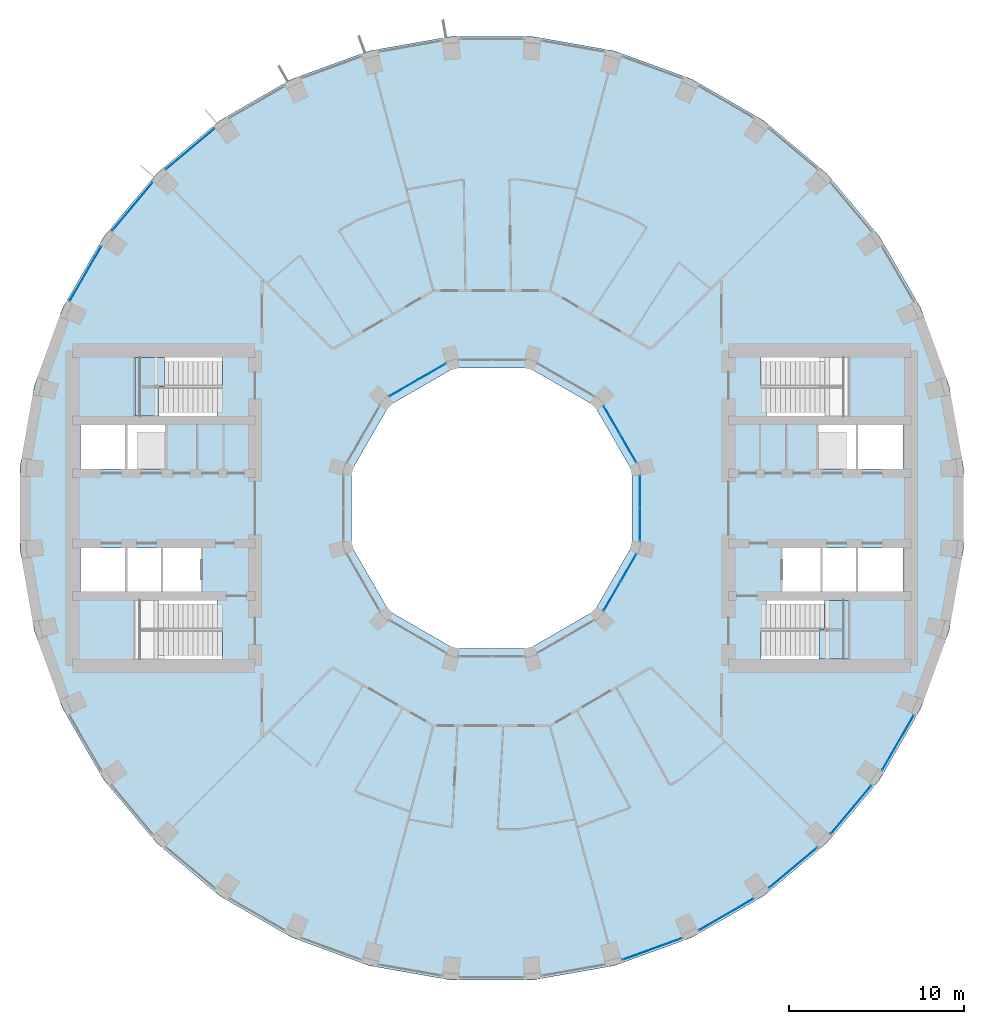
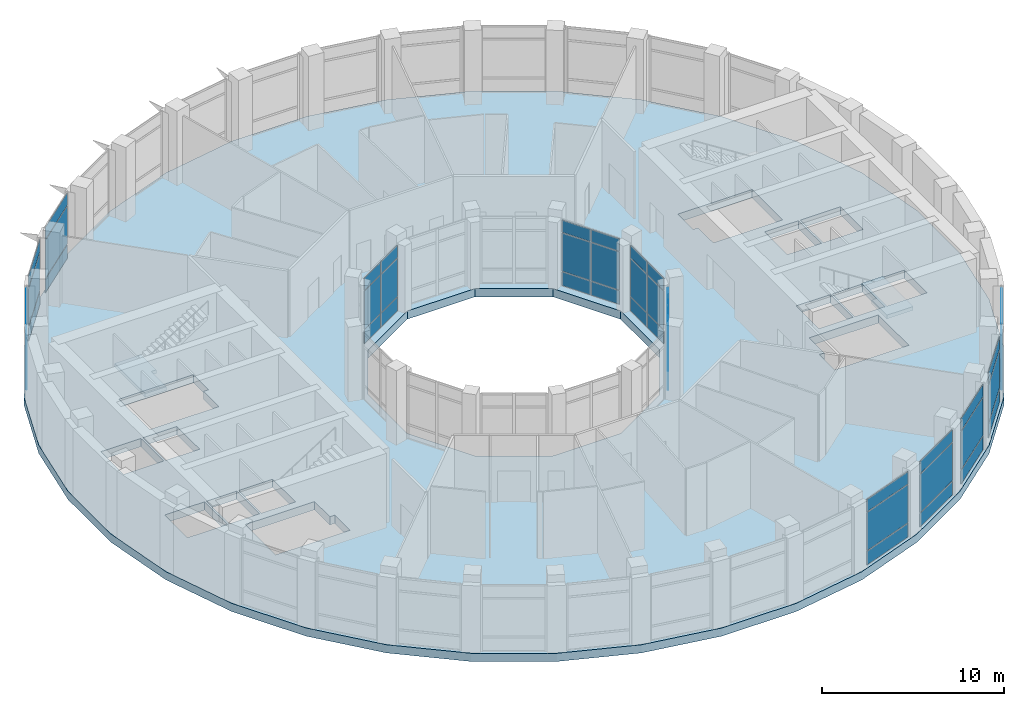
# One storey, part 10 of 18: 48 plates, 3 slabs, 14 elements without a shape of their own.
"""IFC4 building model written with IfcOpenShell, lengths in metres."""

from ifc_helpers import new_model, si_unit, direction, frame, origin, origin_2d, place, context, subcontext, project, spatial, polyline, rectangle, outline, extrude, material, layer, layer_set, type_object, element, aggregate, save


model = new_model("IFC4")

# Units and contexts
model_context = context("Model", 3, precision=1e-05, world=origin(), true_north=direction((0.0, 1.0)))
body_context = subcontext(model_context, "Body", "Model", "MODEL_VIEW")
ifc_project = project(units=[si_unit("LENGTHUNIT", "METRE"), si_unit("AREAUNIT", "SQUARE_METRE"), si_unit("VOLUMEUNIT", "CUBIC_METRE"), si_unit("PLANEANGLEUNIT", "RADIAN"), si_unit("MASSUNIT", "GRAM", prefix="KILO")], contexts=[model_context])

# Site, building, storey
site_placement = place(None, origin())
site = spatial("IfcSite", under=ifc_project, at=site_placement, CompositionType="ELEMENT")
building_placement = place(site_placement, origin())
building = spatial("IfcBuilding", under=site, at=building_placement, Name="Saqina Gate Tower", CompositionType="ELEMENT")
storey_placement = place(building_placement, frame((0.0, 0.0, 86.89990234375)))
storey = spatial("IfcBuildingStorey", under=building, at=storey_placement, Name="L24", CompositionType="ELEMENT", Elevation=86.89990234375)

# Curtain wall, plates
ifc_material_1 = material(Name="Aluminium glazing", Category="aluminium")
ifc_layer_1 = layer(ifc_material_1, 0.159912109375)
ifc_layer_set_1 = layer_set([ifc_layer_1], Name="CWT-2")
curtain_wall_type_1 = type_object("IfcCurtainWallType", Name="CWT-2", PredefinedType="NOTDEFINED", material=ifc_layer_set_1)
curtain_wall_1_placement = place(storey_placement, origin())
curtain_wall_1 = element("IfcCurtainWall", 1, at=curtain_wall_1_placement, inside=storey, type_object=curtain_wall_type_1, Name="Sky lounge glazing facet 13", PredefinedType="NOTDEFINED")
ifc_material_2 = material(Name="Glass", Category="glass")
ifc_layer_2 = layer(ifc_material_2, 0.028076171875)
ifc_layer_set_2 = layer_set([ifc_layer_2], Name="CWT-2P")
plate_type_1 = type_object("IfcPlateType", Name="CWT-2P", PredefinedType="CURTAIN_PANEL", material=ifc_layer_set_2)
plate_1_placement = place(storey_placement, frame((-17.19287109375, 20.489501953125, 0.06005859375), z_axis=(0.0, 0.0, 1.0), x_axis=(-0.766041744675, -0.642790825553, 0.0)))
plate_1 = element("IfcPlate", 2, at=plate_1_placement, type_object=plate_type_1, Name="CW2-13 panel 1.1", PredefinedType="CURTAIN_PANEL", context=body_context, shape_type="SweptSolid", body=[
    extrude(rectangle(XDim=3.52783203125, YDim=0.028076171875, at=origin_2d()), origin(), (0.0, 0.0, 1.0), 0.909912109375),
])
plate_2_placement = place(storey_placement, frame((-17.19287109375, 20.489501953125, 1.030029296875), z_axis=(0.0, 0.0, 1.0), x_axis=(-0.766041744675, -0.642790825553, 0.0)))
plate_2 = element("IfcPlate", 3, at=plate_2_placement, type_object=plate_type_1, Name="CW2-13 panel 1.2", PredefinedType="CURTAIN_PANEL", context=body_context, shape_type="SweptSolid", body=[
    extrude(rectangle(XDim=3.52783203125, YDim=0.028076171875, at=origin_2d()), origin(), (0.0, 0.0, 1.0), 2.5400390625),
])
plate_3_placement = place(storey_placement, frame((-17.19287109375, 20.489501953125, 3.630126953125), z_axis=(0.0, 0.0, 1.0), x_axis=(-0.766041744675, -0.642790825553, 0.0)))
plate_3 = element("IfcPlate", 4, at=plate_3_placement, type_object=plate_type_1, Name="CW2-13 panel 1.3", PredefinedType="CURTAIN_PANEL", context=body_context, shape_type="SweptSolid", body=[
    extrude(rectangle(XDim=3.52783203125, YDim=0.028076171875, at=origin_2d()), origin(), (0.0, 0.0, 1.0), 0.81005859375),
])
aggregate(curtain_wall_1, [plate_1, plate_2, plate_3])

curtain_wall_2_placement = place(storey_placement, origin())
curtain_wall_2 = element("IfcCurtainWall", 5, at=curtain_wall_2_placement, inside=storey, type_object=curtain_wall_type_1, Name="Sky lounge glazing facet 14", PredefinedType="NOTDEFINED")
plate_4_placement = place(storey_placement, frame((-20.489501953125, 17.19287109375, 0.06005859375), z_axis=(0.0, 0.0, 1.0), x_axis=(-0.642790825553, -0.766041744675, 0.0)))
plate_4 = element("IfcPlate", 6, at=plate_4_placement, type_object=plate_type_1, Name="CW2-14 panel 1.1", PredefinedType="CURTAIN_PANEL", context=body_context, shape_type="SweptSolid", body=[
    extrude(rectangle(XDim=3.52783203125, YDim=0.028076171875, at=origin_2d()), origin(), (0.0, 0.0, 1.0), 0.909912109375),
])
plate_5_placement = place(storey_placement, frame((-20.489501953125, 17.19287109375, 1.030029296875), z_axis=(0.0, 0.0, 1.0), x_axis=(-0.642790825553, -0.766041744675, 0.0)))
plate_5 = element("IfcPlate", 7, at=plate_5_placement, type_object=plate_type_1, Name="CW2-14 panel 1.2", PredefinedType="CURTAIN_PANEL", context=body_context, shape_type="SweptSolid", body=[
    extrude(rectangle(XDim=3.52783203125, YDim=0.028076171875, at=origin_2d()), origin(), (0.0, 0.0, 1.0), 2.5400390625),
])
plate_6_placement = place(storey_placement, frame((-20.489501953125, 17.19287109375, 3.630126953125), z_axis=(0.0, 0.0, 1.0), x_axis=(-0.642790825553, -0.766041744675, 0.0)))
plate_6 = element("IfcPlate", 8, at=plate_6_placement, type_object=plate_type_1, Name="CW2-14 panel 1.3", PredefinedType="CURTAIN_PANEL", context=body_context, shape_type="SweptSolid", body=[
    extrude(rectangle(XDim=3.52783203125, YDim=0.028076171875, at=origin_2d()), origin(), (0.0, 0.0, 1.0), 0.81005859375),
])
aggregate(curtain_wall_2, [plate_4, plate_5, plate_6])

curtain_wall_3_placement = place(storey_placement, origin())
curtain_wall_3 = element("IfcCurtainWall", 9, at=curtain_wall_3_placement, inside=storey, type_object=curtain_wall_type_1, Name="Sky lounge glazing facet 15", PredefinedType="NOTDEFINED")
plate_7_placement = place(storey_placement, frame((-23.163818359375, 13.37353515625, 0.06005859375), z_axis=(0.0, 0.0, 1.0), x_axis=(-0.499998512381, -0.86602626266, 0.0)))
plate_7 = element("IfcPlate", 10, at=plate_7_placement, type_object=plate_type_1, Name="CW2-15 panel 1.1", PredefinedType="CURTAIN_PANEL", context=body_context, shape_type="SweptSolid", body=[
    extrude(rectangle(XDim=3.52783203125, YDim=0.028076171875, at=origin_2d()), origin(), (0.0, 0.0, 1.0), 0.909912109375),
])
plate_8_placement = place(storey_placement, frame((-23.163818359375, 13.37353515625, 1.030029296875), z_axis=(0.0, 0.0, 1.0), x_axis=(-0.499998512381, -0.86602626266, 0.0)))
plate_8 = element("IfcPlate", 11, at=plate_8_placement, type_object=plate_type_1, Name="CW2-15 panel 1.2", PredefinedType="CURTAIN_PANEL", context=body_context, shape_type="SweptSolid", body=[
    extrude(rectangle(XDim=3.52783203125, YDim=0.028076171875, at=origin_2d()), origin(), (0.0, 0.0, 1.0), 2.5400390625),
])
plate_9_placement = place(storey_placement, frame((-23.163818359375, 13.37353515625, 3.630126953125), z_axis=(0.0, 0.0, 1.0), x_axis=(-0.499998512381, -0.86602626266, 0.0)))
plate_9 = element("IfcPlate", 12, at=plate_9_placement, type_object=plate_type_1, Name="CW2-15 panel 1.3", PredefinedType="CURTAIN_PANEL", context=body_context, shape_type="SweptSolid", body=[
    extrude(rectangle(XDim=3.52783203125, YDim=0.028076171875, at=origin_2d()), origin(), (0.0, 0.0, 1.0), 0.81005859375),
])
aggregate(curtain_wall_3, [plate_7, plate_8, plate_9])

curtain_wall_4_placement = place(storey_placement, origin())
curtain_wall_4 = element("IfcCurtainWall", 13, at=curtain_wall_4_placement, inside=storey, type_object=curtain_wall_type_1, Name="Sky lounge glazing facet 29", PredefinedType="NOTDEFINED")
plate_10_placement = place(storey_placement, frame((9.148193359375, -25.13427734375, 0.06005859375), z_axis=(0.0, 0.0, 1.0), x_axis=(0.939694133483, 0.342015987197, 0.0)))
plate_10 = element("IfcPlate", 14, at=plate_10_placement, type_object=plate_type_1, Name="CW2-29 panel 1.1", PredefinedType="CURTAIN_PANEL", context=body_context, shape_type="SweptSolid", body=[
    extrude(rectangle(XDim=3.52783203125, YDim=0.028076171875, at=origin_2d()), origin(), (0.0, 0.0, 1.0), 0.909912109375),
])
plate_11_placement = place(storey_placement, frame((9.148193359375, -25.13427734375, 1.030029296875), z_axis=(0.0, 0.0, 1.0), x_axis=(0.939694133483, 0.342015987197, 0.0)))
plate_11 = element("IfcPlate", 15, at=plate_11_placement, type_object=plate_type_1, Name="CW2-29 panel 1.2", PredefinedType="CURTAIN_PANEL", context=body_context, shape_type="SweptSolid", body=[
    extrude(rectangle(XDim=3.52783203125, YDim=0.028076171875, at=origin_2d()), origin(), (0.0, 0.0, 1.0), 2.5400390625),
])
plate_12_placement = place(storey_placement, frame((9.148193359375, -25.13427734375, 3.630126953125), z_axis=(0.0, 0.0, 1.0), x_axis=(0.939694133483, 0.342015987197, 0.0)))
plate_12 = element("IfcPlate", 16, at=plate_12_placement, type_object=plate_type_1, Name="CW2-29 panel 1.3", PredefinedType="CURTAIN_PANEL", context=body_context, shape_type="SweptSolid", body=[
    extrude(rectangle(XDim=3.52783203125, YDim=0.028076171875, at=origin_2d()), origin(), (0.0, 0.0, 1.0), 0.81005859375),
])
aggregate(curtain_wall_4, [plate_10, plate_11, plate_12])

curtain_wall_5_placement = place(storey_placement, origin())
curtain_wall_5 = element("IfcCurtainWall", 17, at=curtain_wall_5_placement, inside=storey, type_object=curtain_wall_type_1, Name="Sky lounge glazing facet 30", PredefinedType="NOTDEFINED")
plate_13_placement = place(storey_placement, frame((13.37353515625, -23.163818359375, 0.06005859375), z_axis=(0.0, 0.0, 1.0), x_axis=(0.86602626266, 0.499998512381, 0.0)))
plate_13 = element("IfcPlate", 18, at=plate_13_placement, type_object=plate_type_1, Name="CW2-30 panel 1.1", PredefinedType="CURTAIN_PANEL", context=body_context, shape_type="SweptSolid", body=[
    extrude(rectangle(XDim=3.52783203125, YDim=0.028076171875, at=origin_2d()), origin(), (0.0, 0.0, 1.0), 0.909912109375),
])
plate_14_placement = place(storey_placement, frame((13.37353515625, -23.163818359375, 1.030029296875), z_axis=(0.0, 0.0, 1.0), x_axis=(0.86602626266, 0.499998512381, 0.0)))
plate_14 = element("IfcPlate", 19, at=plate_14_placement, type_object=plate_type_1, Name="CW2-30 panel 1.2", PredefinedType="CURTAIN_PANEL", context=body_context, shape_type="SweptSolid", body=[
    extrude(rectangle(XDim=3.52783203125, YDim=0.028076171875, at=origin_2d()), origin(), (0.0, 0.0, 1.0), 2.5400390625),
])
plate_15_placement = place(storey_placement, frame((13.37353515625, -23.163818359375, 3.630126953125), z_axis=(0.0, 0.0, 1.0), x_axis=(0.86602626266, 0.499998512381, 0.0)))
plate_15 = element("IfcPlate", 20, at=plate_15_placement, type_object=plate_type_1, Name="CW2-30 panel 1.3", PredefinedType="CURTAIN_PANEL", context=body_context, shape_type="SweptSolid", body=[
    extrude(rectangle(XDim=3.52783203125, YDim=0.028076171875, at=origin_2d()), origin(), (0.0, 0.0, 1.0), 0.81005859375),
])
aggregate(curtain_wall_5, [plate_13, plate_14, plate_15])

curtain_wall_6_placement = place(storey_placement, origin())
curtain_wall_6 = element("IfcCurtainWall", 21, at=curtain_wall_6_placement, inside=storey, type_object=curtain_wall_type_1, Name="Sky lounge glazing facet 31", PredefinedType="NOTDEFINED")
plate_16_placement = place(storey_placement, frame((17.19287109375, -20.489501953125, 0.06005859375), z_axis=(0.0, 0.0, 1.0), x_axis=(0.766041744675, 0.642790825553, 0.0)))
plate_16 = element("IfcPlate", 22, at=plate_16_placement, type_object=plate_type_1, Name="CW2-31 panel 1.1", PredefinedType="CURTAIN_PANEL", context=body_context, shape_type="SweptSolid", body=[
    extrude(rectangle(XDim=3.52783203125, YDim=0.028076171875, at=origin_2d()), origin(), (0.0, 0.0, 1.0), 0.909912109375),
])
plate_17_placement = place(storey_placement, frame((17.19287109375, -20.489501953125, 1.030029296875), z_axis=(0.0, 0.0, 1.0), x_axis=(0.766041744675, 0.642790825553, 0.0)))
plate_17 = element("IfcPlate", 23, at=plate_17_placement, type_object=plate_type_1, Name="CW2-31 panel 1.2", PredefinedType="CURTAIN_PANEL", context=body_context, shape_type="SweptSolid", body=[
    extrude(rectangle(XDim=3.52783203125, YDim=0.028076171875, at=origin_2d()), origin(), (0.0, 0.0, 1.0), 2.5400390625),
])
plate_18_placement = place(storey_placement, frame((17.19287109375, -20.489501953125, 3.630126953125), z_axis=(0.0, 0.0, 1.0), x_axis=(0.766041744675, 0.642790825553, 0.0)))
plate_18 = element("IfcPlate", 24, at=plate_18_placement, type_object=plate_type_1, Name="CW2-31 panel 1.3", PredefinedType="CURTAIN_PANEL", context=body_context, shape_type="SweptSolid", body=[
    extrude(rectangle(XDim=3.52783203125, YDim=0.028076171875, at=origin_2d()), origin(), (0.0, 0.0, 1.0), 0.81005859375),
])
aggregate(curtain_wall_6, [plate_16, plate_17, plate_18])

curtain_wall_7_placement = place(storey_placement, origin())
curtain_wall_7 = element("IfcCurtainWall", 25, at=curtain_wall_7_placement, inside=storey, type_object=curtain_wall_type_1, Name="Sky lounge glazing facet 32", PredefinedType="NOTDEFINED")
plate_19_placement = place(storey_placement, frame((20.489501953125, -17.19287109375, 0.06005859375), z_axis=(0.0, 0.0, 1.0), x_axis=(0.642790825553, 0.766041744675, 0.0)))
plate_19 = element("IfcPlate", 26, at=plate_19_placement, type_object=plate_type_1, Name="CW2-32 panel 1.1", PredefinedType="CURTAIN_PANEL", context=body_context, shape_type="SweptSolid", body=[
    extrude(rectangle(XDim=3.52783203125, YDim=0.028076171875, at=origin_2d()), origin(), (0.0, 0.0, 1.0), 0.909912109375),
])
plate_20_placement = place(storey_placement, frame((20.489501953125, -17.19287109375, 1.030029296875), z_axis=(0.0, 0.0, 1.0), x_axis=(0.642790825553, 0.766041744675, 0.0)))
plate_20 = element("IfcPlate", 27, at=plate_20_placement, type_object=plate_type_1, Name="CW2-32 panel 1.2", PredefinedType="CURTAIN_PANEL", context=body_context, shape_type="SweptSolid", body=[
    extrude(rectangle(XDim=3.52783203125, YDim=0.028076171875, at=origin_2d()), origin(), (0.0, 0.0, 1.0), 2.5400390625),
])
plate_21_placement = place(storey_placement, frame((20.489501953125, -17.19287109375, 3.630126953125), z_axis=(0.0, 0.0, 1.0), x_axis=(0.642790825553, 0.766041744675, 0.0)))
plate_21 = element("IfcPlate", 28, at=plate_21_placement, type_object=plate_type_1, Name="CW2-32 panel 1.3", PredefinedType="CURTAIN_PANEL", context=body_context, shape_type="SweptSolid", body=[
    extrude(rectangle(XDim=3.52783203125, YDim=0.028076171875, at=origin_2d()), origin(), (0.0, 0.0, 1.0), 0.81005859375),
])
aggregate(curtain_wall_7, [plate_19, plate_20, plate_21])

curtain_wall_8_placement = place(storey_placement, origin())
curtain_wall_8 = element("IfcCurtainWall", 29, at=curtain_wall_8_placement, inside=storey, type_object=curtain_wall_type_1, Name="Sky lounge glazing facet 33", PredefinedType="NOTDEFINED")
plate_22_placement = place(storey_placement, frame((23.163818359375, -13.37353515625, 0.06005859375), z_axis=(0.0, 0.0, 1.0), x_axis=(0.499998512381, 0.86602626266, 0.0)))
plate_22 = element("IfcPlate", 30, at=plate_22_placement, type_object=plate_type_1, Name="CW2-33 panel 1.1", PredefinedType="CURTAIN_PANEL", context=body_context, shape_type="SweptSolid", body=[
    extrude(rectangle(XDim=3.52783203125, YDim=0.028076171875, at=origin_2d()), origin(), (0.0, 0.0, 1.0), 0.909912109375),
])
plate_23_placement = place(storey_placement, frame((23.163818359375, -13.37353515625, 1.030029296875), z_axis=(0.0, 0.0, 1.0), x_axis=(0.499998512381, 0.86602626266, 0.0)))
plate_23 = element("IfcPlate", 31, at=plate_23_placement, type_object=plate_type_1, Name="CW2-33 panel 1.2", PredefinedType="CURTAIN_PANEL", context=body_context, shape_type="SweptSolid", body=[
    extrude(rectangle(XDim=3.52783203125, YDim=0.028076171875, at=origin_2d()), origin(), (0.0, 0.0, 1.0), 2.5400390625),
])
plate_24_placement = place(storey_placement, frame((23.163818359375, -13.37353515625, 3.630126953125), z_axis=(0.0, 0.0, 1.0), x_axis=(0.499998512381, 0.86602626266, 0.0)))
plate_24 = element("IfcPlate", 32, at=plate_24_placement, type_object=plate_type_1, Name="CW2-33 panel 1.3", PredefinedType="CURTAIN_PANEL", context=body_context, shape_type="SweptSolid", body=[
    extrude(rectangle(XDim=3.52783203125, YDim=0.028076171875, at=origin_2d()), origin(), (0.0, 0.0, 1.0), 0.81005859375),
])
aggregate(curtain_wall_8, [plate_22, plate_23, plate_24])

ifc_material_3 = material(Name="Aluminium glazing", Category="aluminium")
ifc_layer_3 = layer(ifc_material_3, 0.159912109375)
ifc_layer_set_3 = layer_set([ifc_layer_3], Name="CWT-3")
curtain_wall_type_2 = type_object("IfcCurtainWallType", Name="CWT-3", PredefinedType="NOTDEFINED", material=ifc_layer_set_3)
curtain_wall_9_placement = place(storey_placement, origin())
curtain_wall_9 = element("IfcCurtainWall", 33, at=curtain_wall_9_placement, inside=storey, type_object=curtain_wall_type_2, Name="Sky lounge well glazing L24 facet 1", PredefinedType="NOTDEFINED")
ifc_material_4 = material(Name="Glass", Category="glass")
ifc_layer_4 = layer(ifc_material_4, 0.028076171875)
ifc_layer_set_4 = layer_set([ifc_layer_4], Name="CWT-3P")
plate_type_2 = type_object("IfcPlateType", Name="CWT-3P", PredefinedType="CURTAIN_PANEL", material=ifc_layer_set_4)
plate_25_placement = place(storey_placement, frame((7.77880859375, 3.4267578125, 0.06005859375), z_axis=(0.0, 0.0, 1.0), x_axis=(-0.499993482823, 0.866029166445, 0.0)))
plate_25 = element("IfcPlate", 34, at=plate_25_placement, type_object=plate_type_2, Name="CW3-01 panel 1.1", PredefinedType="CURTAIN_PANEL", context=body_context, shape_type="SweptSolid", body=[
    extrude(rectangle(XDim=1.78369140625, YDim=0.028076171875, at=origin_2d()), origin(), (0.0, 0.0, 1.0), 0.909912109375),
])
plate_26_placement = place(storey_placement, frame((7.77880859375, 3.4267578125, 1.030029296875), z_axis=(0.0, 0.0, 1.0), x_axis=(-0.499993482823, 0.866029166445, 0.0)))
plate_26 = element("IfcPlate", 35, at=plate_26_placement, type_object=plate_type_2, Name="CW3-01 panel 1.2", PredefinedType="CURTAIN_PANEL", context=body_context, shape_type="SweptSolid", body=[
    extrude(rectangle(XDim=1.78369140625, YDim=0.028076171875, at=origin_2d()), origin(), (0.0, 0.0, 1.0), 2.5400390625),
])
plate_27_placement = place(storey_placement, frame((7.77880859375, 3.4267578125, 3.630126953125), z_axis=(0.0, 0.0, 1.0), x_axis=(-0.499993482823, 0.866029166445, 0.0)))
plate_27 = element("IfcPlate", 36, at=plate_27_placement, type_object=plate_type_2, Name="CW3-01 panel 1.3", PredefinedType="CURTAIN_PANEL", context=body_context, shape_type="SweptSolid", body=[
    extrude(rectangle(XDim=1.78369140625, YDim=0.028076171875, at=origin_2d()), origin(), (0.0, 0.0, 1.0), 0.81005859375),
])
plate_28_placement = place(storey_placement, frame((6.85693359375, 5.0234375, 0.06005859375), z_axis=(0.0, 0.0, 1.0), x_axis=(-0.499993482823, 0.866029166445, 0.0)))
plate_28 = element("IfcPlate", 37, at=plate_28_placement, type_object=plate_type_2, Name="CW3-01 panel 2.1", PredefinedType="CURTAIN_PANEL", context=body_context, shape_type="SweptSolid", body=[
    extrude(rectangle(XDim=1.78369140625, YDim=0.028076171875, at=origin_2d()), origin(), (0.0, 0.0, 1.0), 0.909912109375),
])
plate_29_placement = place(storey_placement, frame((6.85693359375, 5.0234375, 1.030029296875), z_axis=(0.0, 0.0, 1.0), x_axis=(-0.499993482823, 0.866029166445, 0.0)))
plate_29 = element("IfcPlate", 38, at=plate_29_placement, type_object=plate_type_2, Name="CW3-01 panel 2.2", PredefinedType="CURTAIN_PANEL", context=body_context, shape_type="SweptSolid", body=[
    extrude(rectangle(XDim=1.78369140625, YDim=0.028076171875, at=origin_2d()), origin(), (0.0, 0.0, 1.0), 2.5400390625),
])
plate_30_placement = place(storey_placement, frame((6.85693359375, 5.0234375, 3.630126953125), z_axis=(0.0, 0.0, 1.0), x_axis=(-0.499993482823, 0.866029166445, 0.0)))
plate_30 = element("IfcPlate", 39, at=plate_30_placement, type_object=plate_type_2, Name="CW3-01 panel 2.3", PredefinedType="CURTAIN_PANEL", context=body_context, shape_type="SweptSolid", body=[
    extrude(rectangle(XDim=1.78369140625, YDim=0.028076171875, at=origin_2d()), origin(), (0.0, 0.0, 1.0), 0.81005859375),
])
aggregate(curtain_wall_9, [plate_25, plate_26, plate_27, plate_28, plate_29, plate_30])

curtain_wall_10_placement = place(storey_placement, origin())
curtain_wall_10 = element("IfcCurtainWall", 40, at=curtain_wall_10_placement, inside=storey, type_object=curtain_wall_type_2, Name="Sky lounge well glazing L24 facet 4", PredefinedType="NOTDEFINED")
plate_31_placement = place(storey_placement, frame((-3.4267578125, 7.77880859375, 0.06005859375), z_axis=(0.0, 0.0, 1.0), x_axis=(-0.866029166445, -0.499993482823, 0.0)))
plate_31 = element("IfcPlate", 41, at=plate_31_placement, type_object=plate_type_2, Name="CW3-04 panel 1.1", PredefinedType="CURTAIN_PANEL", context=body_context, shape_type="SweptSolid", body=[
    extrude(rectangle(XDim=1.78369140625, YDim=0.028076171875, at=origin_2d()), origin(), (0.0, 0.0, 1.0), 0.909912109375),
])
plate_32_placement = place(storey_placement, frame((-3.4267578125, 7.77880859375, 1.030029296875), z_axis=(0.0, 0.0, 1.0), x_axis=(-0.866029166445, -0.499993482823, 0.0)))
plate_32 = element("IfcPlate", 42, at=plate_32_placement, type_object=plate_type_2, Name="CW3-04 panel 1.2", PredefinedType="CURTAIN_PANEL", context=body_context, shape_type="SweptSolid", body=[
    extrude(rectangle(XDim=1.78369140625, YDim=0.028076171875, at=origin_2d()), origin(), (0.0, 0.0, 1.0), 2.5400390625),
])
plate_33_placement = place(storey_placement, frame((-3.4267578125, 7.77880859375, 3.630126953125), z_axis=(0.0, 0.0, 1.0), x_axis=(-0.866029166445, -0.499993482823, 0.0)))
plate_33 = element("IfcPlate", 43, at=plate_33_placement, type_object=plate_type_2, Name="CW3-04 panel 1.3", PredefinedType="CURTAIN_PANEL", context=body_context, shape_type="SweptSolid", body=[
    extrude(rectangle(XDim=1.78369140625, YDim=0.028076171875, at=origin_2d()), origin(), (0.0, 0.0, 1.0), 0.81005859375),
])
plate_34_placement = place(storey_placement, frame((-5.0234375, 6.85693359375, 0.06005859375), z_axis=(0.0, 0.0, 1.0), x_axis=(-0.866029166445, -0.499993482823, 0.0)))
plate_34 = element("IfcPlate", 44, at=plate_34_placement, type_object=plate_type_2, Name="CW3-04 panel 2.1", PredefinedType="CURTAIN_PANEL", context=body_context, shape_type="SweptSolid", body=[
    extrude(rectangle(XDim=1.78369140625, YDim=0.028076171875, at=origin_2d()), origin(), (0.0, 0.0, 1.0), 0.909912109375),
])
plate_35_placement = place(storey_placement, frame((-5.0234375, 6.85693359375, 1.030029296875), z_axis=(0.0, 0.0, 1.0), x_axis=(-0.866029166445, -0.499993482823, 0.0)))
plate_35 = element("IfcPlate", 45, at=plate_35_placement, type_object=plate_type_2, Name="CW3-04 panel 2.2", PredefinedType="CURTAIN_PANEL", context=body_context, shape_type="SweptSolid", body=[
    extrude(rectangle(XDim=1.78369140625, YDim=0.028076171875, at=origin_2d()), origin(), (0.0, 0.0, 1.0), 2.5400390625),
])
plate_36_placement = place(storey_placement, frame((-5.0234375, 6.85693359375, 3.630126953125), z_axis=(0.0, 0.0, 1.0), x_axis=(-0.866029166445, -0.499993482823, 0.0)))
plate_36 = element("IfcPlate", 46, at=plate_36_placement, type_object=plate_type_2, Name="CW3-04 panel 2.3", PredefinedType="CURTAIN_PANEL", context=body_context, shape_type="SweptSolid", body=[
    extrude(rectangle(XDim=1.78369140625, YDim=0.028076171875, at=origin_2d()), origin(), (0.0, 0.0, 1.0), 0.81005859375),
])
aggregate(curtain_wall_10, [plate_31, plate_32, plate_33, plate_34, plate_35, plate_36])

curtain_wall_11_placement = place(storey_placement, origin())
curtain_wall_11 = element("IfcCurtainWall", 47, at=curtain_wall_11_placement, inside=storey, type_object=curtain_wall_type_2, Name="Sky lounge well glazing L24 facet 11", PredefinedType="NOTDEFINED")
plate_37_placement = place(storey_placement, frame((6.85693359375, -5.0234375, 0.06005859375), z_axis=(0.0, 0.0, 1.0), x_axis=(0.499993482823, 0.866029166445, 0.0)))
plate_37 = element("IfcPlate", 48, at=plate_37_placement, type_object=plate_type_2, Name="CW3-11 panel 1.1", PredefinedType="CURTAIN_PANEL", context=body_context, shape_type="SweptSolid", body=[
    extrude(rectangle(XDim=1.78369140625, YDim=0.028076171875, at=origin_2d()), origin(), (0.0, 0.0, 1.0), 0.909912109375),
])
plate_38_placement = place(storey_placement, frame((6.85693359375, -5.0234375, 1.030029296875), z_axis=(0.0, 0.0, 1.0), x_axis=(0.499993482823, 0.866029166445, 0.0)))
plate_38 = element("IfcPlate", 49, at=plate_38_placement, type_object=plate_type_2, Name="CW3-11 panel 1.2", PredefinedType="CURTAIN_PANEL", context=body_context, shape_type="SweptSolid", body=[
    extrude(rectangle(XDim=1.78369140625, YDim=0.028076171875, at=origin_2d()), origin(), (0.0, 0.0, 1.0), 2.5400390625),
])
plate_39_placement = place(storey_placement, frame((6.85693359375, -5.0234375, 3.630126953125), z_axis=(0.0, 0.0, 1.0), x_axis=(0.499993482823, 0.866029166445, 0.0)))
plate_39 = element("IfcPlate", 50, at=plate_39_placement, type_object=plate_type_2, Name="CW3-11 panel 1.3", PredefinedType="CURTAIN_PANEL", context=body_context, shape_type="SweptSolid", body=[
    extrude(rectangle(XDim=1.78369140625, YDim=0.028076171875, at=origin_2d()), origin(), (0.0, 0.0, 1.0), 0.81005859375),
])
plate_40_placement = place(storey_placement, frame((7.77880859375, -3.4267578125, 0.06005859375), z_axis=(0.0, 0.0, 1.0), x_axis=(0.499993482823, 0.866029166445, 0.0)))
plate_40 = element("IfcPlate", 51, at=plate_40_placement, type_object=plate_type_2, Name="CW3-11 panel 2.1", PredefinedType="CURTAIN_PANEL", context=body_context, shape_type="SweptSolid", body=[
    extrude(rectangle(XDim=1.78369140625, YDim=0.028076171875, at=origin_2d()), origin(), (0.0, 0.0, 1.0), 0.909912109375),
])
plate_41_placement = place(storey_placement, frame((7.77880859375, -3.4267578125, 1.030029296875), z_axis=(0.0, 0.0, 1.0), x_axis=(0.499993482823, 0.866029166445, 0.0)))
plate_41 = element("IfcPlate", 52, at=plate_41_placement, type_object=plate_type_2, Name="CW3-11 panel 2.2", PredefinedType="CURTAIN_PANEL", context=body_context, shape_type="SweptSolid", body=[
    extrude(rectangle(XDim=1.78369140625, YDim=0.028076171875, at=origin_2d()), origin(), (0.0, 0.0, 1.0), 2.5400390625),
])
plate_42_placement = place(storey_placement, frame((7.77880859375, -3.4267578125, 3.630126953125), z_axis=(0.0, 0.0, 1.0), x_axis=(0.499993482823, 0.866029166445, 0.0)))
plate_42 = element("IfcPlate", 53, at=plate_42_placement, type_object=plate_type_2, Name="CW3-11 panel 2.3", PredefinedType="CURTAIN_PANEL", context=body_context, shape_type="SweptSolid", body=[
    extrude(rectangle(XDim=1.78369140625, YDim=0.028076171875, at=origin_2d()), origin(), (0.0, 0.0, 1.0), 0.81005859375),
])
aggregate(curtain_wall_11, [plate_37, plate_38, plate_39, plate_40, plate_41, plate_42])

curtain_wall_12_placement = place(storey_placement, origin())
curtain_wall_12 = element("IfcCurtainWall", 54, at=curtain_wall_12_placement, inside=storey, type_object=curtain_wall_type_2, Name="Sky lounge well glazing L24 facet 12", PredefinedType="NOTDEFINED")
plate_43_placement = place(storey_placement, frame((8.449951171875, -0.921875, 0.06005859375), z_axis=(0.0, 0.0, 1.0), x_axis=(0.0, 1.0, 0.0)))
plate_43 = element("IfcPlate", 55, at=plate_43_placement, type_object=plate_type_2, Name="CW3-12 panel 1.1", PredefinedType="CURTAIN_PANEL", context=body_context, shape_type="SweptSolid", body=[
    extrude(rectangle(XDim=1.78369140625, YDim=0.028076171875, at=origin_2d()), origin(), (0.0, 0.0, 1.0), 0.909912109375),
])
plate_44_placement = place(storey_placement, frame((8.449951171875, -0.921875, 1.030029296875), z_axis=(0.0, 0.0, 1.0), x_axis=(0.0, 1.0, 0.0)))
plate_44 = element("IfcPlate", 56, at=plate_44_placement, type_object=plate_type_2, Name="CW3-12 panel 1.2", PredefinedType="CURTAIN_PANEL", context=body_context, shape_type="SweptSolid", body=[
    extrude(rectangle(XDim=1.78369140625, YDim=0.028076171875, at=origin_2d()), origin(), (0.0, 0.0, 1.0), 2.5400390625),
])
plate_45_placement = place(storey_placement, frame((8.449951171875, -0.921875, 3.630126953125), z_axis=(0.0, 0.0, 1.0), x_axis=(0.0, 1.0, 0.0)))
plate_45 = element("IfcPlate", 57, at=plate_45_placement, type_object=plate_type_2, Name="CW3-12 panel 1.3", PredefinedType="CURTAIN_PANEL", context=body_context, shape_type="SweptSolid", body=[
    extrude(rectangle(XDim=1.78369140625, YDim=0.028076171875, at=origin_2d()), origin(), (0.0, 0.0, 1.0), 0.81005859375),
])
plate_46_placement = place(storey_placement, frame((8.449951171875, 0.921875, 0.06005859375), z_axis=(0.0, 0.0, 1.0), x_axis=(0.0, 1.0, 0.0)))
plate_46 = element("IfcPlate", 58, at=plate_46_placement, type_object=plate_type_2, Name="CW3-12 panel 2.1", PredefinedType="CURTAIN_PANEL", context=body_context, shape_type="SweptSolid", body=[
    extrude(rectangle(XDim=1.78369140625, YDim=0.028076171875, at=origin_2d()), origin(), (0.0, 0.0, 1.0), 0.909912109375),
])
plate_47_placement = place(storey_placement, frame((8.449951171875, 0.921875, 1.030029296875), z_axis=(0.0, 0.0, 1.0), x_axis=(0.0, 1.0, 0.0)))
plate_47 = element("IfcPlate", 59, at=plate_47_placement, type_object=plate_type_2, Name="CW3-12 panel 2.2", PredefinedType="CURTAIN_PANEL", context=body_context, shape_type="SweptSolid", body=[
    extrude(rectangle(XDim=1.78369140625, YDim=0.028076171875, at=origin_2d()), origin(), (0.0, 0.0, 1.0), 2.5400390625),
])
plate_48_placement = place(storey_placement, frame((8.449951171875, 0.921875, 3.630126953125), z_axis=(0.0, 0.0, 1.0), x_axis=(0.0, 1.0, 0.0)))
plate_48 = element("IfcPlate", 60, at=plate_48_placement, type_object=plate_type_2, Name="CW3-12 panel 2.3", PredefinedType="CURTAIN_PANEL", context=body_context, shape_type="SweptSolid", body=[
    extrude(rectangle(XDim=1.78369140625, YDim=0.028076171875, at=origin_2d()), origin(), (0.0, 0.0, 1.0), 0.81005859375),
])
aggregate(curtain_wall_12, [plate_43, plate_44, plate_45, plate_46, plate_47, plate_48])

# Stair, slab
ifc_material_5 = material(Name="Concrete C40/50", Category="concrete")
stair_type = type_object("IfcStairType", Name="EXIT STAIR", PredefinedType="HALF_TURN_STAIR", material=ifc_material_5)
stair_1_placement = place(storey_placement, origin())
stair_1 = element("IfcStair", 61, at=stair_1_placement, inside=storey, type_object=stair_type, Name="EXIT STAIR 2", PredefinedType="HALF_TURN_STAIR")
ifc_material_6 = material(Name="Concrete C40/50", Category="concrete")
ifc_layer_5 = layer(ifc_material_6, 0.25)
ifc_layer_set_5 = layer_set([ifc_layer_5], Name="Concrete C40/50")
slab_type_1 = type_object("IfcSlabType", Name="EXIT STAIR LANDING", PredefinedType="LANDING", material=ifc_layer_set_5)
slab_1_placement = place(storey_placement, frame((0.0, 0.0, 2.25)))
slab_1 = element("IfcSlab", 62, at=slab_1_placement, type_object=slab_type_1, Name="EXIT STAIR 2 LANDING 1", PredefinedType="LANDING", context=body_context, shape_type="SweptSolid", body=[
    extrude(outline(polyline([(18.6708984375, -8.60009765625), (18.6708984375, -6.925048828125), (18.985107421875, -6.925048828125), (18.985107421875, -5.25), (20.340087890625, -5.25), (20.340087890625, -8.60009765625), (18.989990234375, -8.60009765625), (18.985107421875, -8.60009765625), (18.6708984375, -8.60009765625)])), origin(), (0.0, 0.0, 1.0), 0.25),
])
aggregate(stair_1, [slab_1])

stair_2_placement = place(storey_placement, origin())
stair_2 = element("IfcStair", 63, at=stair_2_placement, inside=storey, type_object=stair_type, Name="EXIT STAIR 3", PredefinedType="HALF_TURN_STAIR")
slab_2_placement = place(storey_placement, frame((0.0, 0.0, 2.25)))
slab_2 = element("IfcSlab", 64, at=slab_2_placement, type_object=slab_type_1, Name="EXIT STAIR 3 LANDING 1", PredefinedType="LANDING", context=body_context, shape_type="SweptSolid", body=[
    extrude(outline(polyline([(-18.985107421875, 5.25), (-20.340087890625, 5.25), (-20.340087890625, 8.60009765625), (-18.989990234375, 8.60009765625), (-18.985107421875, 8.60009765625), (-18.6708984375, 8.60009765625), (-18.6708984375, 6.925048828125), (-18.985107421875, 6.925048828125), (-18.985107421875, 5.25)])), origin(), (0.0, 0.0, 1.0), 0.25),
])
aggregate(stair_2, [slab_2])

# Slab
ifc_material_7 = material(Name="Concrete C40/50", Category="concrete")
ifc_layer_6 = layer(ifc_material_7, 0.550048828125)
ifc_layer_set_6 = layer_set([ifc_layer_6], Name="Concrete C40/50")
slab_type_2 = type_object("IfcSlabType", Name="STR-POST-TENSIONED FLAT PLATE FLOOR-550", PredefinedType="FLOOR", material=ifc_layer_set_6)
slab_3_placement = place(storey_placement, frame((0.0, 0.0, -0.5498046875)))
element("IfcSlab", 65, at=slab_3_placement, inside=storey, type_object=slab_type_2, Name="L24-SLB01", PredefinedType="FLOOR", context=body_context, shape_type="SweptSolid", body=[
    extrude(outline(polyline([(26.080078125, -6.988037109375), (26.897216796875, -2.353271484375), (26.897216796875, 2.353271484375), (26.080078125, 6.988037109375), (24.47021484375, 11.41064453125), (22.1171875, 15.486572265625), (19.091796875, 19.091796875), (15.486572265625, 22.1171875), (11.41064453125, 24.47021484375), (6.988037109375, 26.080078125), (2.353271484375, 26.897216796875), (-2.353271484375, 26.897216796875), (-6.988037109375, 26.080078125), (-11.41064453125, 24.47021484375), (-15.486572265625, 22.1171875), (-19.091796875, 19.091796875), (-22.1171875, 15.486572265625), (-24.47021484375, 11.41064453125), (-26.080078125, 6.988037109375), (-26.897216796875, 2.353271484375), (-26.897216796875, -2.353271484375), (-26.080078125, -6.988037109375), (-24.47021484375, -11.41064453125), (-22.1171875, -15.486572265625), (-19.091796875, -19.091796875), (-15.486572265625, -22.1171875), (-11.41064453125, -24.47021484375), (-6.988037109375, -26.080078125), (-2.353271484375, -26.897216796875), (2.353271484375, -26.897216796875), (6.988037109375, -26.080078125), (11.41064453125, -24.47021484375), (15.486572265625, -22.1171875), (19.091796875, -19.091796875), (22.1171875, -15.486572265625), (24.47021484375, -11.41064453125), (26.080078125, -6.988037109375)]), holes=[polyline([(2.1435546875, 8.0), (5.8564453125, 5.8564453125), (8.0, 2.1435546875), (8.0, -2.1435546875), (5.8564453125, -5.8564453125), (2.1435546875, -8.0), (-2.1435546875, -8.0), (-5.8564453125, -5.8564453125), (-8.0, -2.1435546875), (-8.0, 2.1435546875), (-5.8564453125, 5.8564453125), (-2.1435546875, 8.0), (2.1435546875, 8.0)]), polyline([(-20.06005859375, -8.60009765625), (-20.06005859375, -6.925048828125), (-20.06005859375, -5.25), (-15.6689453125, -5.25), (-15.6689453125, -6.925048828125), (-15.35498046875, -6.925048828125), (-15.35498046875, -8.60009765625), (-20.06005859375, -8.60009765625)]), polyline([(-20.89990234375, -2.25), (-20.89990234375, -4.75), (-23.43994140625, -4.75), (-23.43994140625, -2.25), (-20.89990234375, -2.25)]), polyline([(-18.8701171875, -2.25), (-18.8701171875, -4.75), (-20.780029296875, -4.75), (-20.780029296875, -2.25), (-18.8701171875, -2.25)]), polyline([(-16.590087890625, -2.25), (-16.590087890625, -4.75), (-18.75, -4.75), (-18.75, -2.25), (-16.590087890625, -2.25)]), polyline([(-20.89990234375, 4.75), (-20.89990234375, 2.25), (-23.43994140625, 2.25), (-23.43994140625, 4.75), (-20.89990234375, 4.75)]), polyline([(-18.6201171875, 4.75), (-18.6201171875, 2.25), (-20.780029296875, 2.25), (-20.780029296875, 4.75), (-18.6201171875, 4.75)]), polyline([(-20.06005859375, 8.60009765625), (-15.35498046875, 8.60009765625), (-15.35498046875, 6.925048828125), (-15.6689453125, 6.925048828125), (-15.6689453125, 5.25), (-20.06005859375, 5.25), (-20.06005859375, 6.925048828125), (-20.06005859375, 8.60009765625)]), polyline([(15.35498046875, -6.925048828125), (15.6689453125, -6.925048828125), (15.6689453125, -5.25), (20.06005859375, -5.25), (20.06005859375, -6.925048828125), (20.06005859375, -8.60009765625), (15.35498046875, -8.60009765625), (15.35498046875, -6.925048828125)]), polyline([(18.75, -2.25), (18.75, -4.75), (16.590087890625, -4.75), (16.590087890625, -2.25), (18.75, -2.25)]), polyline([(20.780029296875, -2.25), (20.780029296875, -4.75), (18.8701171875, -4.75), (18.8701171875, -2.25), (20.780029296875, -2.25)]), polyline([(23.43994140625, -2.25), (23.43994140625, -4.75), (20.89990234375, -4.75), (20.89990234375, -2.25), (23.43994140625, -2.25)]), polyline([(20.780029296875, 4.75), (20.780029296875, 2.25), (18.6201171875, 2.25), (18.6201171875, 4.75), (20.780029296875, 4.75)]), polyline([(23.43994140625, 4.75), (23.43994140625, 2.25), (20.89990234375, 2.25), (20.89990234375, 4.75), (23.43994140625, 4.75)]), polyline([(15.35498046875, 6.925048828125), (15.35498046875, 8.60009765625), (20.06005859375, 8.60009765625), (20.06005859375, 6.925048828125), (20.06005859375, 5.25), (15.6689453125, 5.25), (15.6689453125, 6.925048828125), (15.35498046875, 6.925048828125)])]), origin(), (0.0, 0.0, 1.0), 0.5498046875),
])

save(model, "model.ifc")
